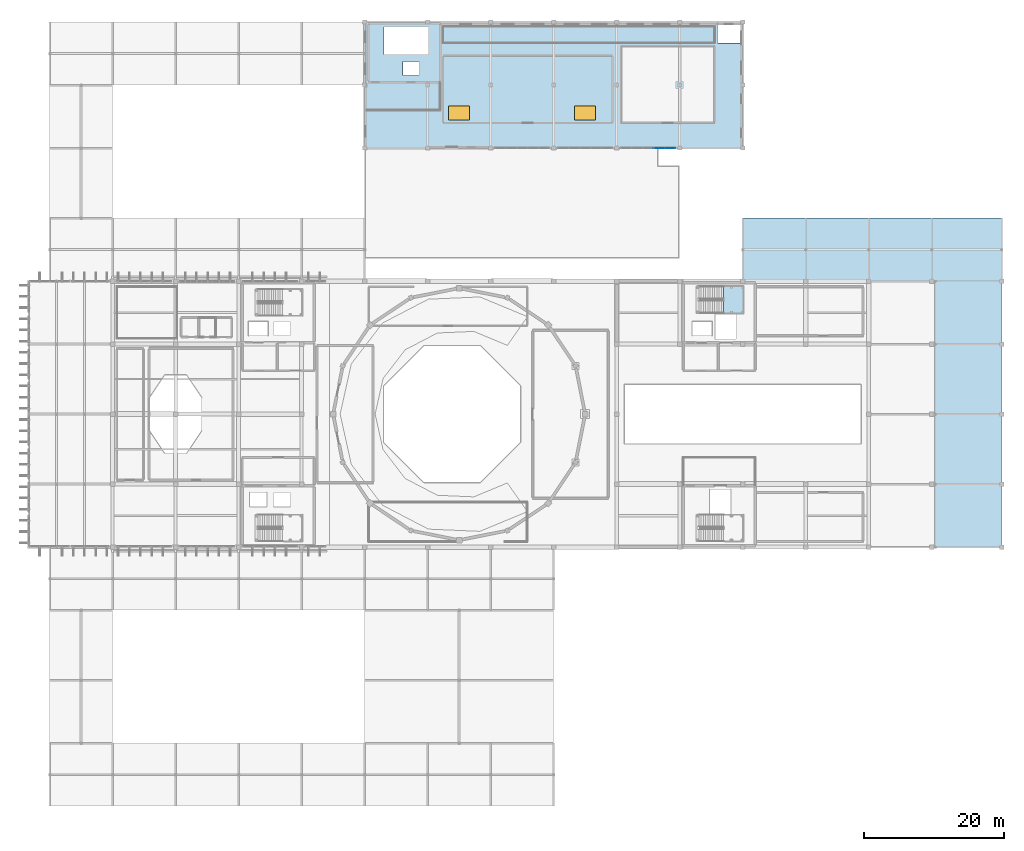
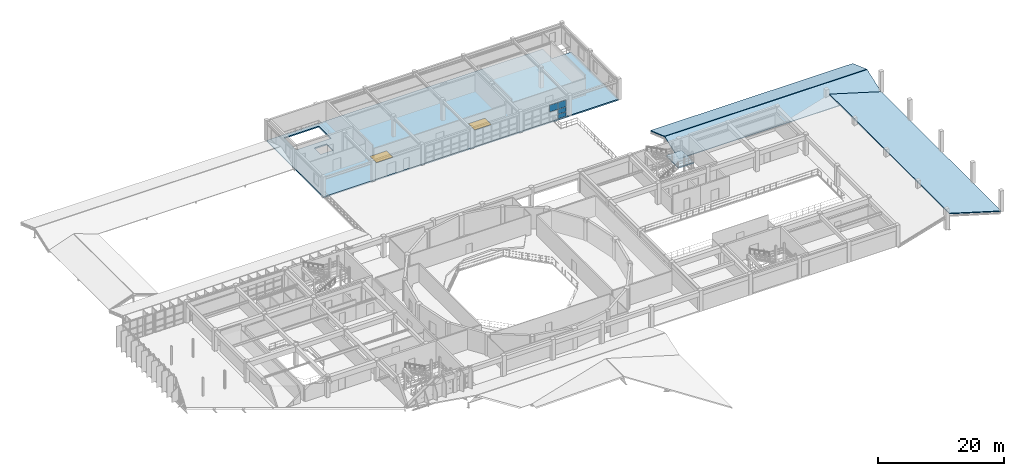
# One storey, part 65 of 80: 5 slabs, 4 plates, 2 windows, 2 openings, 2 elements without a shape of their own.
"""IFC4 building model written with IfcOpenShell, lengths in metres."""

from ifc_helpers import new_model, si_unit, direction, frame, origin, origin_2d, place, context, subcontext, project, spatial, polyline, rectangle, outline, extrude, material, layer, layer_set, type_object, element, fill, aggregate, save


model = new_model("IFC4")

# Units and contexts
model_context = context("Model", 3, precision=1e-05, world=origin(), true_north=direction((0.0, 1.0)))
body_context = subcontext(model_context, "Body", "Model", "MODEL_VIEW")
ifc_project = project(units=[si_unit("LENGTHUNIT", "METRE"), si_unit("AREAUNIT", "SQUARE_METRE"), si_unit("VOLUMEUNIT", "CUBIC_METRE"), si_unit("PLANEANGLEUNIT", "RADIAN"), si_unit("MASSUNIT", "GRAM", prefix="KILO")], contexts=[model_context])

# Site, building, storey
site_placement = place(None, origin())
site = spatial("IfcSite", under=ifc_project, at=site_placement, CompositionType="ELEMENT")
building_placement = place(site_placement, origin())
building = spatial("IfcBuilding", under=site, at=building_placement, Name="Miravela Opera House", CompositionType="ELEMENT")
storey_placement = place(building_placement, frame((0.0, 0.0, 17.679931640625)))
storey = spatial("IfcBuildingStorey", under=building, at=storey_placement, Name="L04", CompositionType="ELEMENT", Elevation=17.679931640625)

# Curtain wall, plates
ifc_material_1 = material(Name="Anodised architectural bronze aluminium 6063-T6", Category="aluminium")
curtain_wall_type = type_object("IfcCurtainWallType", Name="ARC-CW-08", PredefinedType="NOTDEFINED", material=ifc_material_1)
curtain_wall_placement = place(storey_placement, origin())
curtain_wall = element("IfcCurtainWall", 1, at=curtain_wall_placement, inside=storey, type_object=curtain_wall_type, Name="Courtyard Arcade Curtain Wall CW-L04-206", PredefinedType="NOTDEFINED")
ifc_material_2 = material(Name="Acoustic laminated low-E insulating glass", Category="glass")
ifc_layer_1 = layer(ifc_material_2, 0.028076171875)
ifc_layer_set_1 = layer_set([ifc_layer_1])
plate_type = type_object("IfcPlateType", Name="ARC-CWP-28", PredefinedType="CURTAIN_PANEL", material=ifc_layer_set_1)
plate_1_placement = place(storey_placement, frame((105.068115234375, 94.0, 1.9384765625), z_axis=(0.0, 0.0, 1.0), x_axis=(1.0, 0.0, 0.0)))
plate_1 = element("IfcPlate", 2, at=plate_1_placement, type_object=plate_type, Name="CW-08 panel 4.3", PredefinedType="CURTAIN_PANEL", context=body_context, shape_type="SweptSolid", body=[
    extrude(rectangle(XDim=1.508056640625, YDim=0.028076171875, at=origin_2d()), origin(), (0.0, 0.0, 1.0), 1.291748046875),
])
plate_2_placement = place(storey_placement, frame((106.62109375, 94.0, 0.06005859375), z_axis=(0.0, 0.0, 1.0), x_axis=(1.0, 0.0, 0.0)))
plate_2 = element("IfcPlate", 3, at=plate_2_placement, type_object=plate_type, Name="CW-08 panel 5.1", PredefinedType="CURTAIN_PANEL", context=body_context, shape_type="SweptSolid", body=[
    extrude(rectangle(XDim=1.47802734375, YDim=0.028076171875, at=origin_2d()), origin(), (0.0, 0.0, 1.0), 0.860107421875),
])
plate_3_placement = place(storey_placement, frame((106.62109375, 94.0, 0.97998046875), z_axis=(0.0, 0.0, 1.0), x_axis=(1.0, 0.0, 0.0)))
plate_3 = element("IfcPlate", 4, at=plate_3_placement, type_object=plate_type, Name="CW-08 panel 5.2", PredefinedType="CURTAIN_PANEL", context=body_context, shape_type="SweptSolid", body=[
    extrude(rectangle(XDim=1.47802734375, YDim=0.028076171875, at=origin_2d()), origin(), (0.0, 0.0, 1.0), 0.898193359375),
])
plate_4_placement = place(storey_placement, frame((106.62109375, 94.0, 1.9384765625), z_axis=(0.0, 0.0, 1.0), x_axis=(1.0, 0.0, 0.0)))
plate_4 = element("IfcPlate", 5, at=plate_4_placement, type_object=plate_type, Name="CW-08 panel 5.3", PredefinedType="CURTAIN_PANEL", context=body_context, shape_type="SweptSolid", body=[
    extrude(rectangle(XDim=1.47802734375, YDim=0.028076171875, at=origin_2d()), origin(), (0.0, 0.0, 1.0), 1.291748046875),
])
aggregate(curtain_wall, [plate_1, plate_2, plate_3, plate_4])

# Stair, slab
ifc_material_3 = material(Name="Concrete C35/45", Category="concrete")
stair_type = type_object("IfcStairType", Name="ARC-STAIR-CORE-1680", PredefinedType="HALF_TURN_STAIR", material=ifc_material_3)
stair_placement = place(storey_placement, origin())
stair = element("IfcStair", 6, at=stair_placement, inside=storey, type_object=stair_type, Name="L04 Core K3 North Stage and Firefighting Core Exit Stair ST-03", PredefinedType="HALF_TURN_STAIR")
ifc_layer_2 = layer(ifc_material_3, 0.199951171875)
ifc_layer_set_2 = layer_set([ifc_layer_2])
slab_type_1 = type_object("IfcSlabType", Name="ARC-LANDING-200", PredefinedType="LANDING", material=ifc_layer_set_2)
slab_1_placement = place(storey_placement, frame((0.0, 0.0, 1.840087890625)))
slab_1 = element("IfcSlab", 7, at=slab_1_placement, type_object=slab_type_1, Name="ST-03 landing 1", PredefinedType="LANDING", context=body_context, shape_type="SweptSolid", body=[
    extrude(outline(polyline([(114.260009765625, 70.39990234375), (117.10009765625, 70.39990234375), (117.10009765625, 74.280029296875), (114.260009765625, 74.280029296875), (114.260009765625, 70.39990234375)])), origin(), (0.0, 0.0, 1.0), 0.199951171875),
])
aggregate(stair, [slab_1])

# Slabs
ifc_layer_3 = layer(ifc_material_3, 0.169921875)
ifc_layer_set_3 = layer_set([ifc_layer_3])
slab_type_2 = type_object("IfcSlabType", Name="STR-ROOF-TILE-170", PredefinedType="ROOF", material=ifc_layer_set_3)
for number, where, z_axis, x_axis, name in (
    (8, (117.0, 75.0, 0.0), (0.0, -0.33502804432, 0.942208156152), (1.0, 0.0, 0.0), "Pitched Clay Barrel-Tile Roof Slab ROOF-V3-EAST-S Slope 1"),
    (9, (154.0, 84.0, 0.0), (0.0, 0.33502804432, 0.942208156152), (-1.0, 0.0, 0.0), "Pitched Clay Barrel-Tile Roof Slab ROOF-V3-EAST-S Slope 2"),
):
    element("IfcSlab", number, at=place(storey_placement, frame(where, z_axis=z_axis, x_axis=x_axis)), inside=storey, type_object=slab_type_2, Name=name, PredefinedType="ROOF", context=body_context, shape_type="SweptSolid", body=[
        extrude(outline(polyline([(0.0, 0.0), (37.0, 0.0), (37.0, 4.717713734859587), (0.0, 4.717713734859587), (0.0, 0.0)])), origin(), (0.0, 0.0, -1.0), 0.169921875),
    ])
slab_2_placement = place(storey_placement, frame((154.0, 75.0, 0.0), z_axis=(0.287345614156, 0.0, 0.957826966641), x_axis=(0.0, -1.0, 0.0)))
element("IfcSlab", 10, at=slab_2_placement, inside=storey, type_object=slab_type_2, Name="Pitched Clay Barrel-Tile Roof Slab ROOF-V2-REAR Slope 2", PredefinedType="ROOF", context=body_context, shape_type="SweptSolid", body=[
    extrude(outline(polyline([(0.0, 0.0), (38.0, 0.0), (38.0, -9.86093385164728), (0.0, -9.86093385164728), (0.0, 0.0)])), origin(), (0.0, 0.0, -1.0), 0.169921875),
])

# Slab, openings, windows
ifc_layer_4 = layer(ifc_material_3, 0.239990234375)
ifc_layer_set_4 = layer_set([ifc_layer_4])
slab_type_3 = type_object("IfcSlabType", Name="STR-SLAB-FLR-240", PredefinedType="FLOOR", material=ifc_layer_set_4)
slab_3_placement = place(storey_placement, frame((0.0, 0.0, -0.239990234375)))
slab_3 = element("IfcSlab", 11, at=slab_3_placement, inside=storey, type_object=slab_type_3, Name="Level L04 Floor Slab SLAB-L04-V3M", PredefinedType="FLOOR", context=body_context, shape_type="SweptSolid", body=[
    extrude(outline(polyline([(63.0, 94.0), (117.0, 94.0), (117.0, 109.0), (113.5, 109.0), (113.5, 112.0), (63.0, 112.0), (63.0, 94.0)]), holes=[polyline([(65.739990234375, 107.39990234375), (72.10009765625, 107.39990234375), (72.10009765625, 111.280029296875), (65.739990234375, 111.280029296875), (65.739990234375, 107.39990234375)]), polyline([(68.449951171875, 104.39990234375), (70.75, 104.39990234375), (70.75, 106.39990234375), (68.449951171875, 106.39990234375), (68.449951171875, 104.39990234375)])]), origin(), (0.0, 0.0, 1.0), 0.239990234375),
])
opening_1_placement = place(slab_3_placement, frame((76.5, 99.0, -0.010009765625)))
opening_1 = element("IfcOpeningElement", 12, at=opening_1_placement, cuts=slab_3, Name="Opening SK-03", PredefinedType="OPENING", context=body_context, shape_type="SweptSolid", body=[
    extrude(rectangle(XDim=3.0, YDim=2.0, at=origin_2d()), origin(), (0.0, 0.0, 1.0), 0.260009765625),
])
opening_2_placement = place(slab_3_placement, frame((94.5, 99.0, -0.010009765625)))
opening_2 = element("IfcOpeningElement", 13, at=opening_2_placement, cuts=slab_3, Name="Opening SK-03", PredefinedType="OPENING", context=body_context, shape_type="SweptSolid", body=[
    extrude(rectangle(XDim=3.0, YDim=2.0, at=origin_2d()), origin(), (0.0, 0.0, 1.0), 0.260009765625),
])
ifc_material_4 = material(Name="Bronze-anodised aluminium and acoustic low-E glass", Category="aluminium")
window_type = type_object("IfcWindowType", Name="ARC-SKY-03", PartitioningType="DOUBLE_PANEL_VERTICAL", PredefinedType="SKYLIGHT", material=ifc_material_4)
window_1_placement = place(slab_3_placement, frame((76.5, 99.0, 0.18994140625)))
window_1 = element("IfcWindow", 14, at=window_1_placement, inside=storey, type_object=window_type, Name="Acoustic Roof Skylight 05", OverallHeight=2.0, OverallWidth=3.0, PartitioningType="SINGLE_PANEL", PredefinedType="SKYLIGHT", context=body_context, shape_type="SweptSolid", body=[
    extrude(rectangle(XDim=3.0, YDim=2.0, at=origin_2d()), origin(), (0.0, 0.0, 1.0), 0.050048828125),
])
fill(opening_1, window_1)
window_2_placement = place(slab_3_placement, frame((94.5, 99.0, 0.18994140625)))
window_2 = element("IfcWindow", 15, at=window_2_placement, inside=storey, type_object=window_type, Name="Acoustic Roof Skylight 06", OverallHeight=2.0, OverallWidth=3.0, PartitioningType="SINGLE_PANEL", PredefinedType="SKYLIGHT", context=body_context, shape_type="SweptSolid", body=[
    extrude(rectangle(XDim=3.0, YDim=2.0, at=origin_2d()), origin(), (0.0, 0.0, 1.0), 0.050048828125),
])
fill(opening_2, window_2)

save(model, "model.ifc")
